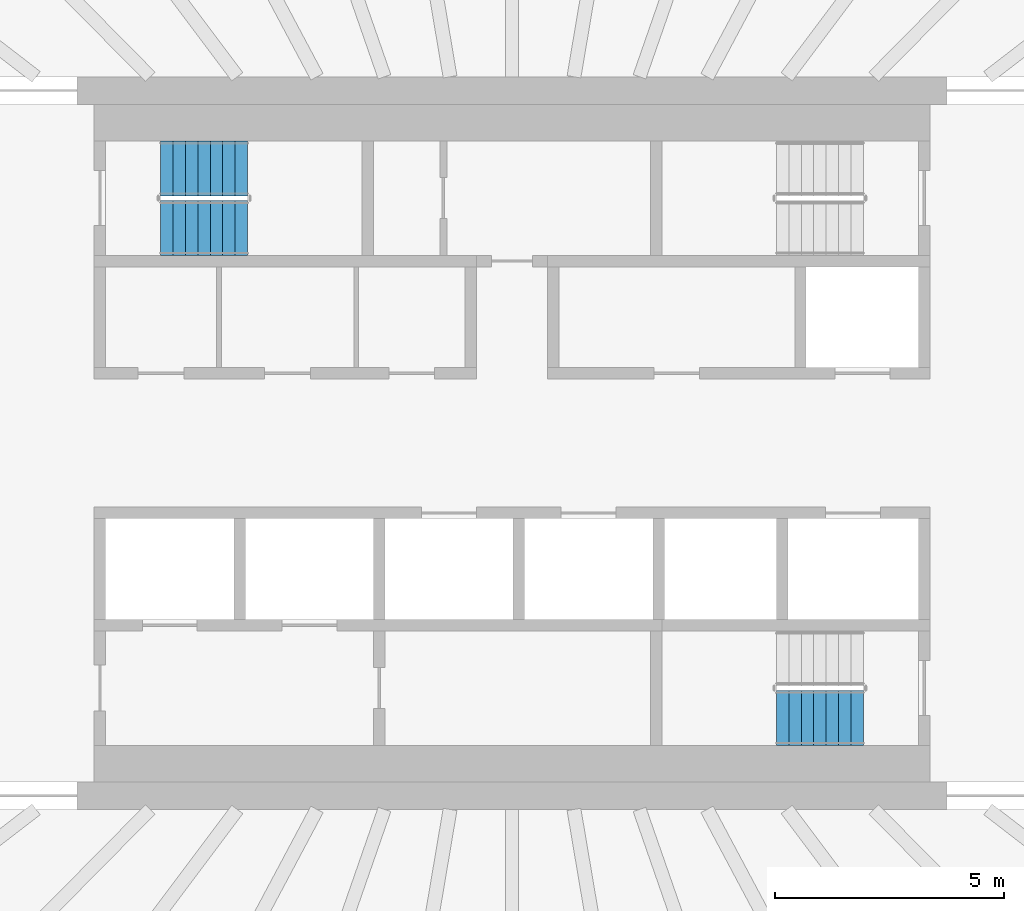
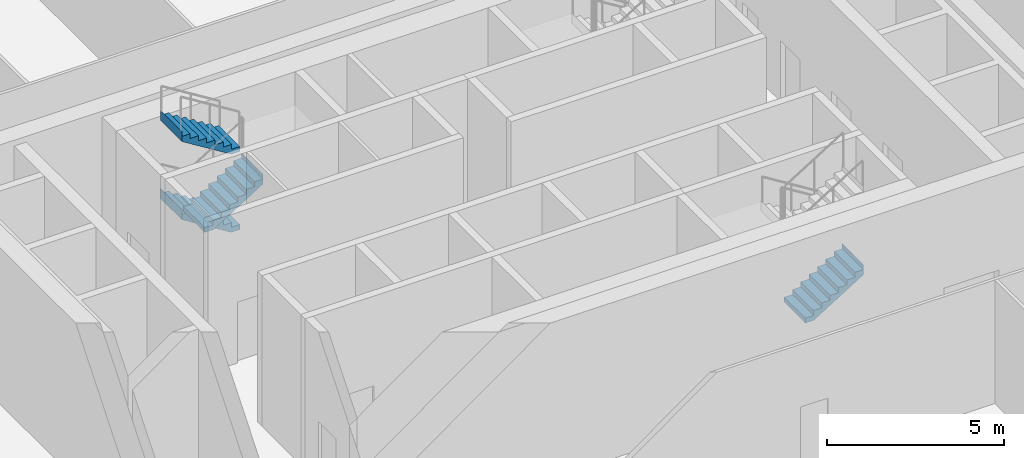
# One storey, part 33 of 42: 4 stair flights, 2 elements without a shape of their own.
"""IFC4 building model written with IfcOpenShell, lengths in metres."""

from ifc_helpers import new_model, si_unit, direction, frame, origin, place, context, subcontext, project, spatial, triangles, material, type_object, element, aggregate, save


model = new_model("IFC4")

# Units and contexts
model_context = context("Model", 3, precision=1e-05, world=origin(), true_north=direction((0.0, 1.0)))
body_context = subcontext(model_context, "Body", "Model", "MODEL_VIEW")
ifc_project = project(units=[si_unit("LENGTHUNIT", "METRE"), si_unit("AREAUNIT", "SQUARE_METRE"), si_unit("VOLUMEUNIT", "CUBIC_METRE"), si_unit("PLANEANGLEUNIT", "RADIAN"), si_unit("MASSUNIT", "GRAM", prefix="KILO")], contexts=[model_context])

# Site, building, storey
site_placement = place(None, origin())
site = spatial("IfcSite", under=ifc_project, at=site_placement, CompositionType="ELEMENT")
building_placement = place(site_placement, origin())
building = spatial("IfcBuilding", under=site, at=building_placement, Name="Sahrelin Media Tower", CompositionType="ELEMENT")
storey_placement = place(building_placement, frame((0.0, 0.0, 26.0)))
storey = spatial("IfcBuildingStorey", under=building, at=storey_placement, Name="L03", CompositionType="ELEMENT", Elevation=26.0)

# Stair, stair flights
ifc_material = material(Name="Concrete C40/50", Category="concrete")
stair_type = type_object("IfcStairType", Name="Exit stair 1200", PredefinedType="HALF_TURN_STAIR", material=ifc_material)
placement = place(storey_placement, origin())
stair_1 = element("IfcStair", 1, at=placement, inside=storey, type_object=stair_type, Name="L03 Exit stair ST1", PredefinedType="HALF_TURN_STAIR")
stair_flight_type = type_object("IfcStairFlightType", Name="Stair flight 1200", PredefinedType="STRAIGHT", material=ifc_material)
stair_flight_1_placement = place(storey_placement, frame((-5.77490234375, 6.0, 1.35009765625), z_axis=(0.0, 0.0, 1.0), x_axis=(-1.0, 0.0, 0.0)))
stair_flight_1 = element("IfcStairFlight", 2, at=stair_flight_1_placement, type_object=stair_flight_type, Name="ST1 flight 2", NumberOfRisers=8, NumberOfTreads=7, PredefinedType="STRAIGHT", RiserHeight=0.16875, TreadLength=0.271428571, context=body_context, shape_type="Tessellation", body=[
    triangles([(0.283935546875, 0.60009765625, 0.0), (0.283935546875, 0.300048828125, 0.0), (0.283935546875, 0.0, 0.0), (0.283935546875, -0.300048828125, 0.0), (0.283935546875, -0.60009765625, 0.0), (1.89990234375, 0.60009765625, 1.004638671875), (1.89990234375, 0.300048828125, 1.004638671875), (1.89990234375, 0.0, 1.004638671875), (1.89990234375, -0.300048828125, 1.004638671875), (1.89990234375, -0.60009765625, 1.004638671875), (1.89990234375, 0.60009765625, 1.35009765625), (1.89990234375, 0.300048828125, 1.35009765625), (1.89990234375, 0.0, 1.35009765625), (1.89990234375, -0.300048828125, 1.35009765625), (1.89990234375, -0.60009765625, 1.35009765625), (1.89794921875, 0.60009765625, 1.35009765625), (1.89794921875, 0.300048828125, 1.35009765625), (1.89794921875, 0.0, 1.35009765625), (1.89794921875, -0.300048828125, 1.35009765625), (1.89794921875, -0.60009765625, 1.35009765625), (1.89794921875, 0.60009765625, 1.18115234375), (1.89794921875, 0.300048828125, 1.18115234375), (1.89794921875, 0.0, 1.18115234375), (1.89794921875, -0.300048828125, 1.18115234375), (1.89794921875, -0.60009765625, 1.18115234375), (1.628662109375, 0.60009765625, 1.18115234375), (1.628662109375, 0.300048828125, 1.18115234375), (1.628662109375, 0.0, 1.18115234375), (1.628662109375, -0.300048828125, 1.18115234375), (1.628662109375, -0.60009765625, 1.18115234375), (1.628662109375, 0.60009765625, 1.012451171875), (1.628662109375, 0.300048828125, 1.012451171875), (1.628662109375, 0.0, 1.012451171875), (1.628662109375, -0.300048828125, 1.012451171875), (1.628662109375, -0.60009765625, 1.012451171875), (1.357177734375, 0.60009765625, 1.012451171875), (1.357177734375, 0.300048828125, 1.012451171875), (1.357177734375, 0.0, 1.012451171875), (1.357177734375, -0.300048828125, 1.012451171875), (1.357177734375, -0.60009765625, 1.012451171875), (1.357177734375, 0.60009765625, 0.84375), (1.357177734375, 0.300048828125, 0.84375), (1.357177734375, 0.0, 0.84375), (1.357177734375, -0.300048828125, 0.84375), (1.357177734375, -0.60009765625, 0.84375), (1.085693359375, 0.60009765625, 0.84375), (1.085693359375, 0.300048828125, 0.84375), (1.085693359375, 0.0, 0.84375), (1.085693359375, -0.300048828125, 0.84375), (1.085693359375, -0.60009765625, 0.84375), (1.085693359375, 0.60009765625, 0.675048828125), (1.085693359375, 0.300048828125, 0.675048828125), (1.085693359375, 0.0, 0.675048828125), (1.085693359375, -0.300048828125, 0.675048828125), (1.085693359375, -0.60009765625, 0.675048828125), (0.814208984375, 0.60009765625, 0.675048828125), (0.814208984375, 0.300048828125, 0.675048828125), (0.814208984375, 0.0, 0.675048828125), (0.814208984375, -0.300048828125, 0.675048828125), (0.814208984375, -0.60009765625, 0.675048828125), (0.814208984375, 0.60009765625, 0.50634765625), (0.814208984375, 0.300048828125, 0.50634765625), (0.814208984375, 0.0, 0.50634765625), (0.814208984375, -0.300048828125, 0.50634765625), (0.814208984375, -0.60009765625, 0.50634765625), (0.54296875, 0.60009765625, 0.50634765625), (0.54296875, 0.300048828125, 0.50634765625), (0.54296875, 0.0, 0.50634765625), (0.54296875, -0.300048828125, 0.50634765625), (0.54296875, -0.60009765625, 0.50634765625), (0.54296875, 0.60009765625, 0.33740234375), (0.54296875, 0.300048828125, 0.33740234375), (0.54296875, 0.0, 0.33740234375), (0.54296875, -0.300048828125, 0.33740234375), (0.54296875, -0.60009765625, 0.33740234375), (0.271484375, 0.60009765625, 0.33740234375), (0.271484375, 0.300048828125, 0.33740234375), (0.271484375, 0.0, 0.33740234375), (0.271484375, -0.300048828125, 0.33740234375), (0.271484375, -0.60009765625, 0.33740234375), (0.271484375, 0.60009765625, 0.168701171875), (0.271484375, 0.300048828125, 0.168701171875), (0.271484375, 0.0, 0.168701171875), (0.271484375, -0.300048828125, 0.168701171875), (0.271484375, -0.60009765625, 0.168701171875), (0.0, 0.60009765625, 0.168701171875), (0.0, 0.300048828125, 0.168701171875), (0.0, 0.0, 0.168701171875), (0.0, -0.300048828125, 0.168701171875), (0.0, -0.60009765625, 0.168701171875), (0.0, 0.60009765625, 0.0), (0.0, 0.300048828125, 0.0), (0.0, 0.0, 0.0), (0.0, -0.300048828125, 0.0), (0.0, -0.60009765625, 0.0)], [[1, 6, 7], [1, 7, 2], [2, 7, 8], [2, 8, 3], [3, 8, 9], [3, 9, 4], [4, 9, 10], [4, 10, 5], [6, 11, 12], [6, 12, 7], [7, 12, 13], [7, 13, 8], [8, 13, 14], [8, 14, 9], [9, 14, 15], [9, 15, 10], [11, 16, 17], [11, 17, 12], [12, 17, 18], [12, 18, 13], [13, 18, 19], [13, 19, 14], [14, 19, 20], [14, 20, 15], [16, 21, 22], [16, 22, 17], [17, 22, 23], [17, 23, 18], [18, 23, 24], [18, 24, 19], [19, 24, 25], [19, 25, 20], [21, 26, 27], [21, 27, 22], [22, 27, 28], [22, 28, 23], [23, 28, 29], [23, 29, 24], [24, 29, 30], [24, 30, 25], [26, 31, 32], [26, 32, 27], [27, 32, 33], [27, 33, 28], [28, 33, 34], [28, 34, 29], [29, 34, 35], [29, 35, 30], [31, 36, 37], [31, 37, 32], [32, 37, 38], [32, 38, 33], [33, 38, 39], [33, 39, 34], [34, 39, 40], [34, 40, 35], [36, 41, 42], [36, 42, 37], [37, 42, 43], [37, 43, 38], [38, 43, 44], [38, 44, 39], [39, 44, 45], [39, 45, 40], [41, 46, 47], [41, 47, 42], [42, 47, 48], [42, 48, 43], [43, 48, 49], [43, 49, 44], [44, 49, 50], [44, 50, 45], [46, 51, 52], [46, 52, 47], [47, 52, 53], [47, 53, 48], [48, 53, 54], [48, 54, 49], [49, 54, 55], [49, 55, 50], [51, 56, 57], [51, 57, 52], [52, 57, 58], [52, 58, 53], [53, 58, 59], [53, 59, 54], [54, 59, 60], [54, 60, 55], [56, 61, 62], [56, 62, 57], [57, 62, 63], [57, 63, 58], [58, 63, 64], [58, 64, 59], [59, 64, 65], [59, 65, 60], [61, 66, 67], [61, 67, 62], [62, 67, 68], [62, 68, 63], [63, 68, 69], [63, 69, 64], [64, 69, 70], [64, 70, 65], [66, 71, 72], [66, 72, 67], [67, 72, 73], [67, 73, 68], [68, 73, 74], [68, 74, 69], [69, 74, 75], [69, 75, 70], [71, 76, 77], [71, 77, 72], [72, 77, 78], [72, 78, 73], [73, 78, 79], [73, 79, 74], [74, 79, 80], [74, 80, 75], [76, 81, 82], [76, 82, 77], [77, 82, 83], [77, 83, 78], [78, 83, 84], [78, 84, 79], [79, 84, 85], [79, 85, 80], [81, 86, 87], [81, 87, 82], [82, 87, 88], [82, 88, 83], [83, 88, 89], [83, 89, 84], [84, 89, 90], [84, 90, 85], [86, 91, 92], [86, 92, 87], [87, 92, 93], [87, 93, 88], [88, 93, 94], [88, 94, 89], [89, 94, 95], [89, 95, 90], [91, 1, 2], [91, 2, 92], [92, 2, 3], [92, 3, 93], [93, 3, 4], [93, 4, 94], [94, 4, 5], [94, 5, 95], [85, 90, 95], [81, 91, 86], [85, 75, 80], [81, 76, 71], [75, 65, 70], [71, 66, 61], [65, 55, 60], [61, 56, 51], [55, 45, 50], [51, 46, 41], [45, 35, 40], [41, 36, 31], [35, 25, 30], [31, 26, 21], [25, 15, 20], [21, 16, 11], [95, 5, 85], [91, 81, 1], [5, 55, 65], [1, 61, 51], [25, 10, 15], [21, 11, 6], [75, 85, 5], [71, 1, 81], [10, 45, 55], [6, 51, 41], [35, 10, 25], [31, 21, 6], [65, 75, 5], [61, 1, 71], [45, 10, 35], [41, 31, 6], [5, 10, 55], [1, 51, 6]], closed=True),
])
stair_flight_2_placement = place(storey_placement, frame((-7.675048828125, 4.699951171875, 2.699951171875), z_axis=(0.0, 0.0, 1.0), x_axis=(1.0, 0.0, 0.0)))
stair_flight_2 = element("IfcStairFlight", 3, at=stair_flight_2_placement, type_object=stair_flight_type, Name="ST1 flight 3", NumberOfRisers=8, NumberOfTreads=7, PredefinedType="STRAIGHT", RiserHeight=0.16875, TreadLength=0.271428571, context=body_context, shape_type="Tessellation", body=[
    triangles([(0.283935546875, 0.60009765625, 0.0), (0.283935546875, 0.300048828125, 0.0), (0.283935546875, 0.0, 0.0), (0.283935546875, -0.300048828125, 0.0), (0.283935546875, -0.60009765625, 0.0), (1.89990234375, 0.60009765625, 1.004638671875), (1.89990234375, 0.300048828125, 1.004638671875), (1.89990234375, 0.0, 1.004638671875), (1.89990234375, -0.300048828125, 1.004638671875), (1.89990234375, -0.60009765625, 1.004638671875), (1.89990234375, 0.60009765625, 1.35009765625), (1.89990234375, 0.300048828125, 1.35009765625), (1.89990234375, 0.0, 1.35009765625), (1.89990234375, -0.300048828125, 1.35009765625), (1.89990234375, -0.60009765625, 1.35009765625), (1.89794921875, 0.60009765625, 1.35009765625), (1.89794921875, 0.300048828125, 1.35009765625), (1.89794921875, 0.0, 1.35009765625), (1.89794921875, -0.300048828125, 1.35009765625), (1.89794921875, -0.60009765625, 1.35009765625), (1.89794921875, 0.60009765625, 1.18115234375), (1.89794921875, 0.300048828125, 1.18115234375), (1.89794921875, 0.0, 1.18115234375), (1.89794921875, -0.300048828125, 1.18115234375), (1.89794921875, -0.60009765625, 1.18115234375), (1.628662109375, 0.60009765625, 1.18115234375), (1.628662109375, 0.300048828125, 1.18115234375), (1.628662109375, 0.0, 1.18115234375), (1.628662109375, -0.300048828125, 1.18115234375), (1.628662109375, -0.60009765625, 1.18115234375), (1.628662109375, 0.60009765625, 1.012451171875), (1.628662109375, 0.300048828125, 1.012451171875), (1.628662109375, 0.0, 1.012451171875), (1.628662109375, -0.300048828125, 1.012451171875), (1.628662109375, -0.60009765625, 1.012451171875), (1.357177734375, 0.60009765625, 1.012451171875), (1.357177734375, 0.300048828125, 1.012451171875), (1.357177734375, 0.0, 1.012451171875), (1.357177734375, -0.300048828125, 1.012451171875), (1.357177734375, -0.60009765625, 1.012451171875), (1.357177734375, 0.60009765625, 0.84375), (1.357177734375, 0.300048828125, 0.84375), (1.357177734375, 0.0, 0.84375), (1.357177734375, -0.300048828125, 0.84375), (1.357177734375, -0.60009765625, 0.84375), (1.085693359375, 0.60009765625, 0.84375), (1.085693359375, 0.300048828125, 0.84375), (1.085693359375, 0.0, 0.84375), (1.085693359375, -0.300048828125, 0.84375), (1.085693359375, -0.60009765625, 0.84375), (1.085693359375, 0.60009765625, 0.675048828125), (1.085693359375, 0.300048828125, 0.675048828125), (1.085693359375, 0.0, 0.675048828125), (1.085693359375, -0.300048828125, 0.675048828125), (1.085693359375, -0.60009765625, 0.675048828125), (0.814208984375, 0.60009765625, 0.675048828125), (0.814208984375, 0.300048828125, 0.675048828125), (0.814208984375, 0.0, 0.675048828125), (0.814208984375, -0.300048828125, 0.675048828125), (0.814208984375, -0.60009765625, 0.675048828125), (0.814208984375, 0.60009765625, 0.50634765625), (0.814208984375, 0.300048828125, 0.50634765625), (0.814208984375, 0.0, 0.50634765625), (0.814208984375, -0.300048828125, 0.50634765625), (0.814208984375, -0.60009765625, 0.50634765625), (0.54296875, 0.60009765625, 0.50634765625), (0.54296875, 0.300048828125, 0.50634765625), (0.54296875, 0.0, 0.50634765625), (0.54296875, -0.300048828125, 0.50634765625), (0.54296875, -0.60009765625, 0.50634765625), (0.54296875, 0.60009765625, 0.33740234375), (0.54296875, 0.300048828125, 0.33740234375), (0.54296875, 0.0, 0.33740234375), (0.54296875, -0.300048828125, 0.33740234375), (0.54296875, -0.60009765625, 0.33740234375), (0.271484375, 0.60009765625, 0.33740234375), (0.271484375, 0.300048828125, 0.33740234375), (0.271484375, 0.0, 0.33740234375), (0.271484375, -0.300048828125, 0.33740234375), (0.271484375, -0.60009765625, 0.33740234375), (0.271484375, 0.60009765625, 0.168701171875), (0.271484375, 0.300048828125, 0.168701171875), (0.271484375, 0.0, 0.168701171875), (0.271484375, -0.300048828125, 0.168701171875), (0.271484375, -0.60009765625, 0.168701171875), (0.0, 0.60009765625, 0.168701171875), (0.0, 0.300048828125, 0.168701171875), (0.0, 0.0, 0.168701171875), (0.0, -0.300048828125, 0.168701171875), (0.0, -0.60009765625, 0.168701171875), (0.0, 0.60009765625, 0.0), (0.0, 0.300048828125, 0.0), (0.0, 0.0, 0.0), (0.0, -0.300048828125, 0.0), (0.0, -0.60009765625, 0.0)], [[1, 6, 7], [1, 7, 2], [2, 7, 8], [2, 8, 3], [3, 8, 9], [3, 9, 4], [4, 9, 10], [4, 10, 5], [6, 11, 12], [6, 12, 7], [7, 12, 13], [7, 13, 8], [8, 13, 14], [8, 14, 9], [9, 14, 15], [9, 15, 10], [11, 16, 17], [11, 17, 12], [12, 17, 18], [12, 18, 13], [13, 18, 19], [13, 19, 14], [14, 19, 20], [14, 20, 15], [16, 21, 22], [16, 22, 17], [17, 22, 23], [17, 23, 18], [18, 23, 24], [18, 24, 19], [19, 24, 25], [19, 25, 20], [21, 26, 27], [21, 27, 22], [22, 27, 28], [22, 28, 23], [23, 28, 29], [23, 29, 24], [24, 29, 30], [24, 30, 25], [26, 31, 32], [26, 32, 27], [27, 32, 33], [27, 33, 28], [28, 33, 34], [28, 34, 29], [29, 34, 35], [29, 35, 30], [31, 36, 37], [31, 37, 32], [32, 37, 38], [32, 38, 33], [33, 38, 39], [33, 39, 34], [34, 39, 40], [34, 40, 35], [36, 41, 42], [36, 42, 37], [37, 42, 43], [37, 43, 38], [38, 43, 44], [38, 44, 39], [39, 44, 45], [39, 45, 40], [41, 46, 47], [41, 47, 42], [42, 47, 48], [42, 48, 43], [43, 48, 49], [43, 49, 44], [44, 49, 50], [44, 50, 45], [46, 51, 52], [46, 52, 47], [47, 52, 53], [47, 53, 48], [48, 53, 54], [48, 54, 49], [49, 54, 55], [49, 55, 50], [51, 56, 57], [51, 57, 52], [52, 57, 58], [52, 58, 53], [53, 58, 59], [53, 59, 54], [54, 59, 60], [54, 60, 55], [56, 61, 62], [56, 62, 57], [57, 62, 63], [57, 63, 58], [58, 63, 64], [58, 64, 59], [59, 64, 65], [59, 65, 60], [61, 66, 67], [61, 67, 62], [62, 67, 68], [62, 68, 63], [63, 68, 69], [63, 69, 64], [64, 69, 70], [64, 70, 65], [66, 71, 72], [66, 72, 67], [67, 72, 73], [67, 73, 68], [68, 73, 74], [68, 74, 69], [69, 74, 75], [69, 75, 70], [71, 76, 77], [71, 77, 72], [72, 77, 78], [72, 78, 73], [73, 78, 79], [73, 79, 74], [74, 79, 80], [74, 80, 75], [76, 81, 82], [76, 82, 77], [77, 82, 83], [77, 83, 78], [78, 83, 84], [78, 84, 79], [79, 84, 85], [79, 85, 80], [81, 86, 87], [81, 87, 82], [82, 87, 88], [82, 88, 83], [83, 88, 89], [83, 89, 84], [84, 89, 90], [84, 90, 85], [86, 91, 92], [86, 92, 87], [87, 92, 93], [87, 93, 88], [88, 93, 94], [88, 94, 89], [89, 94, 95], [89, 95, 90], [91, 1, 2], [91, 2, 92], [92, 2, 3], [92, 3, 93], [93, 3, 4], [93, 4, 94], [94, 4, 5], [94, 5, 95], [85, 90, 95], [81, 91, 86], [85, 75, 80], [81, 76, 71], [75, 65, 70], [71, 66, 61], [65, 55, 60], [61, 56, 51], [55, 45, 50], [51, 46, 41], [45, 35, 40], [41, 36, 31], [35, 25, 30], [31, 26, 21], [25, 15, 20], [21, 16, 11], [95, 5, 85], [91, 81, 1], [5, 55, 65], [1, 61, 51], [25, 10, 15], [21, 11, 6], [75, 85, 5], [71, 1, 81], [10, 45, 55], [6, 51, 41], [35, 10, 25], [31, 21, 6], [65, 75, 5], [61, 1, 71], [45, 10, 35], [41, 31, 6], [5, 10, 55], [1, 51, 6]], closed=True),
])
stair_flight_3_placement = place(storey_placement, frame((-5.77490234375, 6.0, 4.050048828125), z_axis=(0.0, 0.0, 1.0), x_axis=(-1.0, 0.0, 0.0)))
stair_flight_3 = element("IfcStairFlight", 4, at=stair_flight_3_placement, type_object=stair_flight_type, Name="ST1 flight 4", NumberOfRisers=8, NumberOfTreads=7, PredefinedType="STRAIGHT", RiserHeight=0.16875, TreadLength=0.271428571, context=body_context, shape_type="Tessellation", body=[
    triangles([(0.283935546875, 0.60009765625, 0.0), (0.283935546875, 0.300048828125, 0.0), (0.283935546875, 0.0, 0.0), (0.283935546875, -0.300048828125, 0.0), (0.283935546875, -0.60009765625, 0.0), (1.89990234375, 0.60009765625, 1.004638671875), (1.89990234375, 0.300048828125, 1.004638671875), (1.89990234375, 0.0, 1.004638671875), (1.89990234375, -0.300048828125, 1.004638671875), (1.89990234375, -0.60009765625, 1.004638671875), (1.89990234375, 0.60009765625, 1.35009765625), (1.89990234375, 0.300048828125, 1.35009765625), (1.89990234375, 0.0, 1.35009765625), (1.89990234375, -0.300048828125, 1.35009765625), (1.89990234375, -0.60009765625, 1.35009765625), (1.89794921875, 0.60009765625, 1.35009765625), (1.89794921875, 0.300048828125, 1.35009765625), (1.89794921875, 0.0, 1.35009765625), (1.89794921875, -0.300048828125, 1.35009765625), (1.89794921875, -0.60009765625, 1.35009765625), (1.89794921875, 0.60009765625, 1.18115234375), (1.89794921875, 0.300048828125, 1.18115234375), (1.89794921875, 0.0, 1.18115234375), (1.89794921875, -0.300048828125, 1.18115234375), (1.89794921875, -0.60009765625, 1.18115234375), (1.628662109375, 0.60009765625, 1.18115234375), (1.628662109375, 0.300048828125, 1.18115234375), (1.628662109375, 0.0, 1.18115234375), (1.628662109375, -0.300048828125, 1.18115234375), (1.628662109375, -0.60009765625, 1.18115234375), (1.628662109375, 0.60009765625, 1.012451171875), (1.628662109375, 0.300048828125, 1.012451171875), (1.628662109375, 0.0, 1.012451171875), (1.628662109375, -0.300048828125, 1.012451171875), (1.628662109375, -0.60009765625, 1.012451171875), (1.357177734375, 0.60009765625, 1.012451171875), (1.357177734375, 0.300048828125, 1.012451171875), (1.357177734375, 0.0, 1.012451171875), (1.357177734375, -0.300048828125, 1.012451171875), (1.357177734375, -0.60009765625, 1.012451171875), (1.357177734375, 0.60009765625, 0.84375), (1.357177734375, 0.300048828125, 0.84375), (1.357177734375, 0.0, 0.84375), (1.357177734375, -0.300048828125, 0.84375), (1.357177734375, -0.60009765625, 0.84375), (1.085693359375, 0.60009765625, 0.84375), (1.085693359375, 0.300048828125, 0.84375), (1.085693359375, 0.0, 0.84375), (1.085693359375, -0.300048828125, 0.84375), (1.085693359375, -0.60009765625, 0.84375), (1.085693359375, 0.60009765625, 0.675048828125), (1.085693359375, 0.300048828125, 0.675048828125), (1.085693359375, 0.0, 0.675048828125), (1.085693359375, -0.300048828125, 0.675048828125), (1.085693359375, -0.60009765625, 0.675048828125), (0.814208984375, 0.60009765625, 0.675048828125), (0.814208984375, 0.300048828125, 0.675048828125), (0.814208984375, 0.0, 0.675048828125), (0.814208984375, -0.300048828125, 0.675048828125), (0.814208984375, -0.60009765625, 0.675048828125), (0.814208984375, 0.60009765625, 0.50634765625), (0.814208984375, 0.300048828125, 0.50634765625), (0.814208984375, 0.0, 0.50634765625), (0.814208984375, -0.300048828125, 0.50634765625), (0.814208984375, -0.60009765625, 0.50634765625), (0.54296875, 0.60009765625, 0.50634765625), (0.54296875, 0.300048828125, 0.50634765625), (0.54296875, 0.0, 0.50634765625), (0.54296875, -0.300048828125, 0.50634765625), (0.54296875, -0.60009765625, 0.50634765625), (0.54296875, 0.60009765625, 0.33740234375), (0.54296875, 0.300048828125, 0.33740234375), (0.54296875, 0.0, 0.33740234375), (0.54296875, -0.300048828125, 0.33740234375), (0.54296875, -0.60009765625, 0.33740234375), (0.271484375, 0.60009765625, 0.33740234375), (0.271484375, 0.300048828125, 0.33740234375), (0.271484375, 0.0, 0.33740234375), (0.271484375, -0.300048828125, 0.33740234375), (0.271484375, -0.60009765625, 0.33740234375), (0.271484375, 0.60009765625, 0.168701171875), (0.271484375, 0.300048828125, 0.168701171875), (0.271484375, 0.0, 0.168701171875), (0.271484375, -0.300048828125, 0.168701171875), (0.271484375, -0.60009765625, 0.168701171875), (0.0, 0.60009765625, 0.168701171875), (0.0, 0.300048828125, 0.168701171875), (0.0, 0.0, 0.168701171875), (0.0, -0.300048828125, 0.168701171875), (0.0, -0.60009765625, 0.168701171875), (0.0, 0.60009765625, 0.0), (0.0, 0.300048828125, 0.0), (0.0, 0.0, 0.0), (0.0, -0.300048828125, 0.0), (0.0, -0.60009765625, 0.0)], [[1, 6, 7], [1, 7, 2], [2, 7, 8], [2, 8, 3], [3, 8, 9], [3, 9, 4], [4, 9, 10], [4, 10, 5], [6, 11, 12], [6, 12, 7], [7, 12, 13], [7, 13, 8], [8, 13, 14], [8, 14, 9], [9, 14, 15], [9, 15, 10], [11, 16, 17], [11, 17, 12], [12, 17, 18], [12, 18, 13], [13, 18, 19], [13, 19, 14], [14, 19, 20], [14, 20, 15], [16, 21, 22], [16, 22, 17], [17, 22, 23], [17, 23, 18], [18, 23, 24], [18, 24, 19], [19, 24, 25], [19, 25, 20], [21, 26, 27], [21, 27, 22], [22, 27, 28], [22, 28, 23], [23, 28, 29], [23, 29, 24], [24, 29, 30], [24, 30, 25], [26, 31, 32], [26, 32, 27], [27, 32, 33], [27, 33, 28], [28, 33, 34], [28, 34, 29], [29, 34, 35], [29, 35, 30], [31, 36, 37], [31, 37, 32], [32, 37, 38], [32, 38, 33], [33, 38, 39], [33, 39, 34], [34, 39, 40], [34, 40, 35], [36, 41, 42], [36, 42, 37], [37, 42, 43], [37, 43, 38], [38, 43, 44], [38, 44, 39], [39, 44, 45], [39, 45, 40], [41, 46, 47], [41, 47, 42], [42, 47, 48], [42, 48, 43], [43, 48, 49], [43, 49, 44], [44, 49, 50], [44, 50, 45], [46, 51, 52], [46, 52, 47], [47, 52, 53], [47, 53, 48], [48, 53, 54], [48, 54, 49], [49, 54, 55], [49, 55, 50], [51, 56, 57], [51, 57, 52], [52, 57, 58], [52, 58, 53], [53, 58, 59], [53, 59, 54], [54, 59, 60], [54, 60, 55], [56, 61, 62], [56, 62, 57], [57, 62, 63], [57, 63, 58], [58, 63, 64], [58, 64, 59], [59, 64, 65], [59, 65, 60], [61, 66, 67], [61, 67, 62], [62, 67, 68], [62, 68, 63], [63, 68, 69], [63, 69, 64], [64, 69, 70], [64, 70, 65], [66, 71, 72], [66, 72, 67], [67, 72, 73], [67, 73, 68], [68, 73, 74], [68, 74, 69], [69, 74, 75], [69, 75, 70], [71, 76, 77], [71, 77, 72], [72, 77, 78], [72, 78, 73], [73, 78, 79], [73, 79, 74], [74, 79, 80], [74, 80, 75], [76, 81, 82], [76, 82, 77], [77, 82, 83], [77, 83, 78], [78, 83, 84], [78, 84, 79], [79, 84, 85], [79, 85, 80], [81, 86, 87], [81, 87, 82], [82, 87, 88], [82, 88, 83], [83, 88, 89], [83, 89, 84], [84, 89, 90], [84, 90, 85], [86, 91, 92], [86, 92, 87], [87, 92, 93], [87, 93, 88], [88, 93, 94], [88, 94, 89], [89, 94, 95], [89, 95, 90], [91, 1, 2], [91, 2, 92], [92, 2, 3], [92, 3, 93], [93, 3, 4], [93, 4, 94], [94, 4, 5], [94, 5, 95], [85, 90, 95], [81, 91, 86], [85, 75, 80], [81, 76, 71], [75, 65, 70], [71, 66, 61], [65, 55, 60], [61, 56, 51], [55, 45, 50], [51, 46, 41], [45, 35, 40], [41, 36, 31], [35, 25, 30], [31, 26, 21], [25, 15, 20], [21, 16, 11], [95, 5, 85], [91, 81, 1], [5, 55, 65], [1, 61, 51], [25, 10, 15], [21, 11, 6], [75, 85, 5], [71, 1, 81], [10, 45, 55], [6, 51, 41], [35, 10, 25], [31, 21, 6], [65, 75, 5], [61, 1, 71], [45, 10, 35], [41, 31, 6], [5, 10, 55], [1, 51, 6]], closed=True),
])
aggregate(stair_1, [stair_flight_1, stair_flight_2, stair_flight_3])

# Stair, stair flight
stair_2 = element("IfcStair", 5, at=placement, inside=storey, type_object=stair_type, Name="L03 Exit stair ST2", PredefinedType="HALF_TURN_STAIR")
stair_flight_4_placement = place(storey_placement, frame((5.77490234375, -6.0, 1.35009765625), z_axis=(0.0, 0.0, 1.0), x_axis=(1.0, 0.0, 0.0)))
stair_flight_4 = element("IfcStairFlight", 6, at=stair_flight_4_placement, type_object=stair_flight_type, Name="ST2 flight 2", NumberOfRisers=8, NumberOfTreads=7, PredefinedType="STRAIGHT", RiserHeight=0.16875, TreadLength=0.271428571, context=body_context, shape_type="Tessellation", body=[
    triangles([(0.283935546875, 0.60009765625, 0.0), (0.283935546875, 0.300048828125, 0.0), (0.283935546875, 0.0, 0.0), (0.283935546875, -0.300048828125, 0.0), (0.283935546875, -0.60009765625, 0.0), (1.89990234375, 0.60009765625, 1.004638671875), (1.89990234375, 0.300048828125, 1.004638671875), (1.89990234375, 0.0, 1.004638671875), (1.89990234375, -0.300048828125, 1.004638671875), (1.89990234375, -0.60009765625, 1.004638671875), (1.89990234375, 0.60009765625, 1.35009765625), (1.89990234375, 0.300048828125, 1.35009765625), (1.89990234375, 0.0, 1.35009765625), (1.89990234375, -0.300048828125, 1.35009765625), (1.89990234375, -0.60009765625, 1.35009765625), (1.89794921875, 0.60009765625, 1.35009765625), (1.89794921875, 0.300048828125, 1.35009765625), (1.89794921875, 0.0, 1.35009765625), (1.89794921875, -0.300048828125, 1.35009765625), (1.89794921875, -0.60009765625, 1.35009765625), (1.89794921875, 0.60009765625, 1.18115234375), (1.89794921875, 0.300048828125, 1.18115234375), (1.89794921875, 0.0, 1.18115234375), (1.89794921875, -0.300048828125, 1.18115234375), (1.89794921875, -0.60009765625, 1.18115234375), (1.628662109375, 0.60009765625, 1.18115234375), (1.628662109375, 0.300048828125, 1.18115234375), (1.628662109375, 0.0, 1.18115234375), (1.628662109375, -0.300048828125, 1.18115234375), (1.628662109375, -0.60009765625, 1.18115234375), (1.628662109375, 0.60009765625, 1.012451171875), (1.628662109375, 0.300048828125, 1.012451171875), (1.628662109375, 0.0, 1.012451171875), (1.628662109375, -0.300048828125, 1.012451171875), (1.628662109375, -0.60009765625, 1.012451171875), (1.357177734375, 0.60009765625, 1.012451171875), (1.357177734375, 0.300048828125, 1.012451171875), (1.357177734375, 0.0, 1.012451171875), (1.357177734375, -0.300048828125, 1.012451171875), (1.357177734375, -0.60009765625, 1.012451171875), (1.357177734375, 0.60009765625, 0.84375), (1.357177734375, 0.300048828125, 0.84375), (1.357177734375, 0.0, 0.84375), (1.357177734375, -0.300048828125, 0.84375), (1.357177734375, -0.60009765625, 0.84375), (1.085693359375, 0.60009765625, 0.84375), (1.085693359375, 0.300048828125, 0.84375), (1.085693359375, 0.0, 0.84375), (1.085693359375, -0.300048828125, 0.84375), (1.085693359375, -0.60009765625, 0.84375), (1.085693359375, 0.60009765625, 0.675048828125), (1.085693359375, 0.300048828125, 0.675048828125), (1.085693359375, 0.0, 0.675048828125), (1.085693359375, -0.300048828125, 0.675048828125), (1.085693359375, -0.60009765625, 0.675048828125), (0.814208984375, 0.60009765625, 0.675048828125), (0.814208984375, 0.300048828125, 0.675048828125), (0.814208984375, 0.0, 0.675048828125), (0.814208984375, -0.300048828125, 0.675048828125), (0.814208984375, -0.60009765625, 0.675048828125), (0.814208984375, 0.60009765625, 0.50634765625), (0.814208984375, 0.300048828125, 0.50634765625), (0.814208984375, 0.0, 0.50634765625), (0.814208984375, -0.300048828125, 0.50634765625), (0.814208984375, -0.60009765625, 0.50634765625), (0.54296875, 0.60009765625, 0.50634765625), (0.54296875, 0.300048828125, 0.50634765625), (0.54296875, 0.0, 0.50634765625), (0.54296875, -0.300048828125, 0.50634765625), (0.54296875, -0.60009765625, 0.50634765625), (0.54296875, 0.60009765625, 0.33740234375), (0.54296875, 0.300048828125, 0.33740234375), (0.54296875, 0.0, 0.33740234375), (0.54296875, -0.300048828125, 0.33740234375), (0.54296875, -0.60009765625, 0.33740234375), (0.271484375, 0.60009765625, 0.33740234375), (0.271484375, 0.300048828125, 0.33740234375), (0.271484375, 0.0, 0.33740234375), (0.271484375, -0.300048828125, 0.33740234375), (0.271484375, -0.60009765625, 0.33740234375), (0.271484375, 0.60009765625, 0.168701171875), (0.271484375, 0.300048828125, 0.168701171875), (0.271484375, 0.0, 0.168701171875), (0.271484375, -0.300048828125, 0.168701171875), (0.271484375, -0.60009765625, 0.168701171875), (0.0, 0.60009765625, 0.168701171875), (0.0, 0.300048828125, 0.168701171875), (0.0, 0.0, 0.168701171875), (0.0, -0.300048828125, 0.168701171875), (0.0, -0.60009765625, 0.168701171875), (0.0, 0.60009765625, 0.0), (0.0, 0.300048828125, 0.0), (0.0, 0.0, 0.0), (0.0, -0.300048828125, 0.0), (0.0, -0.60009765625, 0.0)], [[1, 6, 7], [1, 7, 2], [2, 7, 8], [2, 8, 3], [3, 8, 9], [3, 9, 4], [4, 9, 10], [4, 10, 5], [6, 11, 12], [6, 12, 7], [7, 12, 13], [7, 13, 8], [8, 13, 14], [8, 14, 9], [9, 14, 15], [9, 15, 10], [11, 16, 17], [11, 17, 12], [12, 17, 18], [12, 18, 13], [13, 18, 19], [13, 19, 14], [14, 19, 20], [14, 20, 15], [16, 21, 22], [16, 22, 17], [17, 22, 23], [17, 23, 18], [18, 23, 24], [18, 24, 19], [19, 24, 25], [19, 25, 20], [21, 26, 27], [21, 27, 22], [22, 27, 28], [22, 28, 23], [23, 28, 29], [23, 29, 24], [24, 29, 30], [24, 30, 25], [26, 31, 32], [26, 32, 27], [27, 32, 33], [27, 33, 28], [28, 33, 34], [28, 34, 29], [29, 34, 35], [29, 35, 30], [31, 36, 37], [31, 37, 32], [32, 37, 38], [32, 38, 33], [33, 38, 39], [33, 39, 34], [34, 39, 40], [34, 40, 35], [36, 41, 42], [36, 42, 37], [37, 42, 43], [37, 43, 38], [38, 43, 44], [38, 44, 39], [39, 44, 45], [39, 45, 40], [41, 46, 47], [41, 47, 42], [42, 47, 48], [42, 48, 43], [43, 48, 49], [43, 49, 44], [44, 49, 50], [44, 50, 45], [46, 51, 52], [46, 52, 47], [47, 52, 53], [47, 53, 48], [48, 53, 54], [48, 54, 49], [49, 54, 55], [49, 55, 50], [51, 56, 57], [51, 57, 52], [52, 57, 58], [52, 58, 53], [53, 58, 59], [53, 59, 54], [54, 59, 60], [54, 60, 55], [56, 61, 62], [56, 62, 57], [57, 62, 63], [57, 63, 58], [58, 63, 64], [58, 64, 59], [59, 64, 65], [59, 65, 60], [61, 66, 67], [61, 67, 62], [62, 67, 68], [62, 68, 63], [63, 68, 69], [63, 69, 64], [64, 69, 70], [64, 70, 65], [66, 71, 72], [66, 72, 67], [67, 72, 73], [67, 73, 68], [68, 73, 74], [68, 74, 69], [69, 74, 75], [69, 75, 70], [71, 76, 77], [71, 77, 72], [72, 77, 78], [72, 78, 73], [73, 78, 79], [73, 79, 74], [74, 79, 80], [74, 80, 75], [76, 81, 82], [76, 82, 77], [77, 82, 83], [77, 83, 78], [78, 83, 84], [78, 84, 79], [79, 84, 85], [79, 85, 80], [81, 86, 87], [81, 87, 82], [82, 87, 88], [82, 88, 83], [83, 88, 89], [83, 89, 84], [84, 89, 90], [84, 90, 85], [86, 91, 92], [86, 92, 87], [87, 92, 93], [87, 93, 88], [88, 93, 94], [88, 94, 89], [89, 94, 95], [89, 95, 90], [91, 1, 2], [91, 2, 92], [92, 2, 3], [92, 3, 93], [93, 3, 4], [93, 4, 94], [94, 4, 5], [94, 5, 95], [85, 90, 95], [81, 91, 86], [85, 75, 80], [81, 76, 71], [75, 65, 70], [71, 66, 61], [65, 55, 60], [61, 56, 51], [55, 45, 50], [51, 46, 41], [45, 35, 40], [41, 36, 31], [35, 25, 30], [31, 26, 21], [25, 15, 20], [21, 16, 11], [95, 5, 85], [91, 81, 1], [5, 55, 65], [1, 61, 51], [25, 10, 15], [21, 11, 6], [75, 85, 5], [71, 1, 81], [10, 45, 55], [6, 51, 41], [35, 10, 25], [31, 21, 6], [65, 75, 5], [61, 1, 71], [45, 10, 35], [41, 31, 6], [5, 10, 55], [1, 51, 6]], closed=True),
])
aggregate(stair_2, [stair_flight_4])

save(model, "model.ifc")
